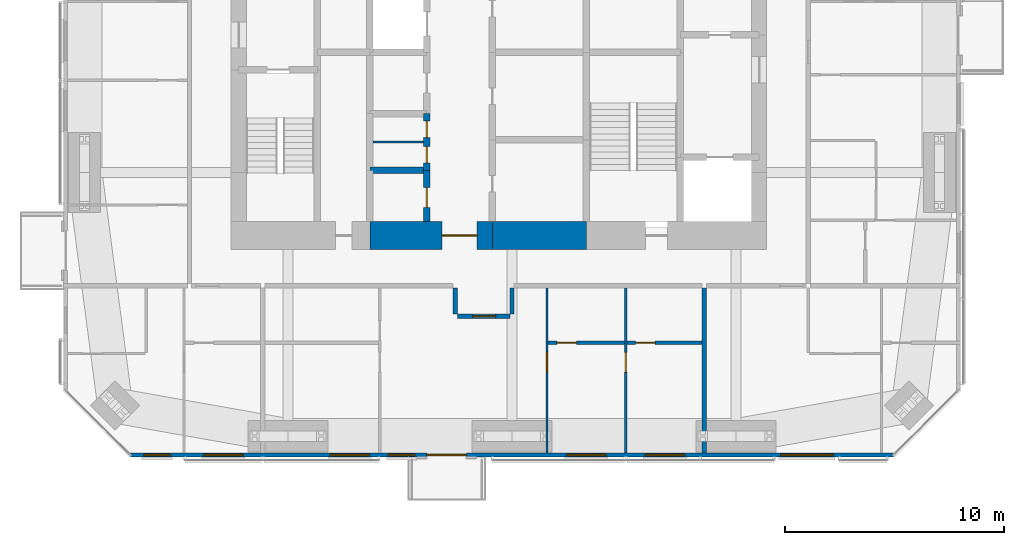
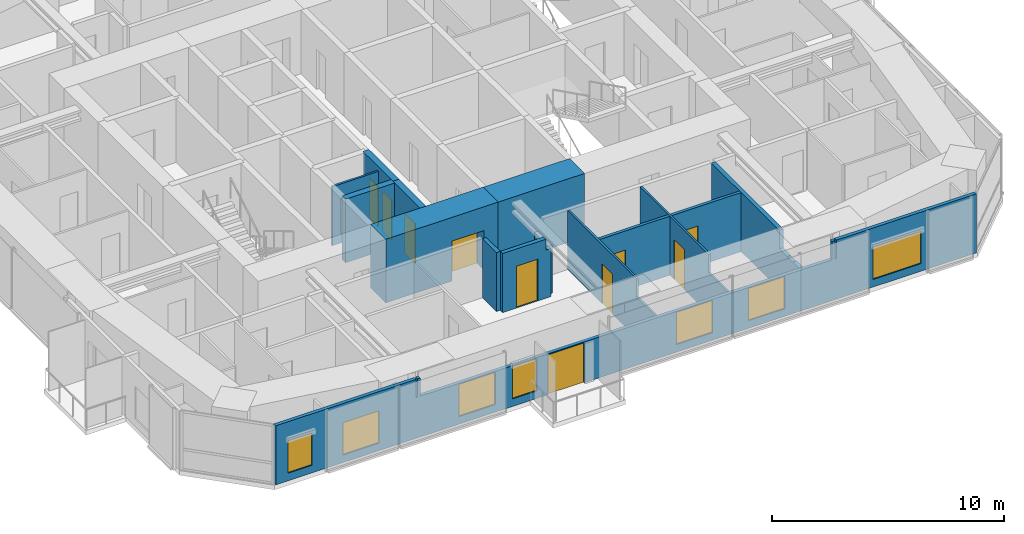
# One storey, part 16 of 23: 15 walls, 10 doors, 7 windows, 17 openings.
"""IFC4 building model written with IfcOpenShell, lengths in metres."""

from ifc_helpers import new_model, si_unit, direction, frame, frame_2d, origin, place, context, subcontext, project, spatial, polyline, rectangle, outline, extrude, material, layer, layer_set, constituent, constituent_set, type_object, element, fill, save


model = new_model("IFC4")

# Units and contexts
model_context = context("Model", 3, precision=1e-05, world=origin(), true_north=direction((0.0, 1.0)))
body_context = subcontext(model_context, "Body", "Model", "MODEL_VIEW")
ifc_project = project(units=[si_unit("LENGTHUNIT", "METRE"), si_unit("AREAUNIT", "SQUARE_METRE"), si_unit("VOLUMEUNIT", "CUBIC_METRE"), si_unit("PLANEANGLEUNIT", "RADIAN"), si_unit("MASSUNIT", "GRAM", prefix="KILO")], contexts=[model_context])

# Site, building, storey
site_placement = place(None, origin())
site = spatial("IfcSite", under=ifc_project, at=site_placement, CompositionType="ELEMENT")
building_placement = place(site_placement, origin())
building = spatial("IfcBuilding", under=site, at=building_placement, Name="Jalousie Tower", CompositionType="ELEMENT")
storey_placement = place(building_placement, frame((0.0, 0.0, 197.89990234375)))
storey = spatial("IfcBuildingStorey", under=building, at=storey_placement, Name="L54", CompositionType="ELEMENT", Elevation=197.89990234375)

# Wall, opening, door
ifc_material_1 = material(Name="Concrete block ASTM C90", Category="concrete")
ifc_constituent_1 = constituent(ifc_material_1, Name="Body")
ifc_material_2 = material(Name="Render")
ifc_constituent_2 = constituent(ifc_material_2, Name="Finish")
ifc_constituent_set_1 = constituent_set(constituents=[ifc_constituent_1, ifc_constituent_2])
wall_type_1 = type_object("IfcWallType", Name="BATHROOM WALL 150", PredefinedType="PLUMBINGWALL", material=ifc_constituent_set_1)
wall_1_placement = place(storey_placement, frame((34.14990234375, 5.22509765625, 0.0), z_axis=(0.0, 0.0, 1.0), x_axis=(1.0, 0.0, 0.0)))
wall_1 = element("IfcWall", 1, at=wall_1_placement, inside=storey, type_object=wall_type_1, Name="Bathroom Wall 150 L54", PredefinedType="PLUMBINGWALL", context=body_context, shape_type="SweptSolid", body=[
    extrude(rectangle(XDim=3.5, YDim=0.14990234375, at=frame_2d((1.75, 0.0))), origin(), (0.0, 0.0, 1.0), 3.110107421875),
])
opening_1_placement = place(wall_1_placement, frame((0.39990234375, 0.0, 0.0)))
opening_1 = element("IfcOpeningElement", 2, at=opening_1_placement, cuts=wall_1, Name="Opening D3", PredefinedType="OPENING", context=body_context, shape_type="SweptSolid", body=[
    extrude(rectangle(XDim=0.89990234375, YDim=2.10009765625, at=frame_2d((0.449951171875, 1.050048828125))), frame((0.0, 0.0849609375, 0.0), z_axis=(0.0, -1.0, 0.0), x_axis=(1.0, 0.0, 0.0)), (0.0, 0.0, 1.0), 0.169921875),
])
ifc_material_3 = material(Name="Timber door", Category="wood")
door_type_1 = type_object("IfcDoorType", Name="BATHROOM DOOR 900", OperationType="SINGLE_SWING_LEFT", PredefinedType="DOOR", material=ifc_material_3)
door_1_placement = place(opening_1_placement, origin())
door_1 = element("IfcDoor", 3, at=door_1_placement, inside=storey, type_object=door_type_1, Name="Apartment 5402 bedroom 2 bathroom door", OperationType="SINGLE_SWING_LEFT", OverallHeight=2.10009765625, OverallWidth=0.89990234375, PredefinedType="DOOR", context=body_context, shape_type="SweptSolid", body=[
    extrude(rectangle(XDim=0.89990234375, YDim=2.10009765625, at=frame_2d((0.449951171875, 1.050048828125))), frame((0.0, 0.02490234375, 0.0), z_axis=(0.0, -1.0, 0.0), x_axis=(1.0, 0.0, 0.0)), (0.0, 0.0, 1.0), 0.050048828125),
])
fill(opening_1, door_1)

wall_2_placement = place(storey_placement, frame((37.75, 5.22509765625, 0.0), z_axis=(0.0, 0.0, 1.0), x_axis=(1.0, 0.0, 0.0)))
wall_2 = element("IfcWall", 4, at=wall_2_placement, inside=storey, type_object=wall_type_1, Name="Bathroom Wall 150 L54", PredefinedType="PLUMBINGWALL", context=body_context, shape_type="SweptSolid", body=[
    extrude(rectangle(XDim=3.449951171875, YDim=0.14990234375, at=frame_2d((1.72509765625, 0.0))), origin(), (0.0, 0.0, 1.0), 3.110107421875),
])
opening_2_placement = place(wall_2_placement, frame((0.39990234375, 0.0, 0.0)))
opening_2 = element("IfcOpeningElement", 5, at=opening_2_placement, cuts=wall_2, Name="Opening D3", PredefinedType="OPENING", context=body_context, shape_type="SweptSolid", body=[
    extrude(rectangle(XDim=0.89990234375, YDim=2.10009765625, at=frame_2d((0.449951171875, 1.050048828125))), frame((0.0, 0.0849609375, 0.0), z_axis=(0.0, -1.0, 0.0), x_axis=(1.0, 0.0, 0.0)), (0.0, 0.0, 1.0), 0.169921875),
])
door_2_placement = place(opening_2_placement, origin())
door_2 = element("IfcDoor", 6, at=door_2_placement, inside=storey, type_object=door_type_1, Name="Apartment 5402 bedroom 3 bathroom door", OperationType="SINGLE_SWING_LEFT", OverallHeight=2.10009765625, OverallWidth=0.89990234375, PredefinedType="DOOR", context=body_context, shape_type="SweptSolid", body=[
    extrude(rectangle(XDim=0.89990234375, YDim=2.10009765625, at=frame_2d((0.449951171875, 1.050048828125))), frame((0.0, 0.02490234375, 0.0), z_axis=(0.0, -1.0, 0.0), x_axis=(1.0, 0.0, 0.0)), (0.0, 0.0, 1.0), 0.050048828125),
])
fill(opening_2, door_2)

ifc_material_4 = material(Name="Concrete f'c 120 MPa", Category="concrete")
ifc_layer_1 = layer(ifc_material_4, 1.300048828125)
ifc_layer_set_1 = layer_set([ifc_layer_1], Name="Concrete f'c 120 MPa")
wall_type_2 = type_object("IfcWallType", Name="CORE WALL 1300", PredefinedType="SHEAR", material=ifc_layer_set_1)
wall_3_placement = place(storey_placement, frame((26.0, 10.125, 0.0), z_axis=(0.0, 0.0, 1.0), x_axis=(1.0, 0.0, 0.0)))
wall_3 = element("IfcWall", 7, at=wall_3_placement, inside=storey, type_object=wall_type_2, Name="Core wall SB L54", PredefinedType="SHEAR", context=body_context, shape_type="SweptSolid", body=[
    extrude(rectangle(XDim=5.60009765625, YDim=1.300048828125, at=frame_2d((2.800048828125, 0.0))), origin(), (0.0, 0.0, 1.0), 3.35009765625),
])
opening_3_placement = place(wall_3_placement, frame((3.300048828125, 0.0, 0.0)))
opening_3 = element("IfcOpeningElement", 8, at=opening_3_placement, cuts=wall_3, Name="Opening D15", PredefinedType="OPENING", context=body_context, shape_type="SweptSolid", body=[
    extrude(rectangle(XDim=1.60009765625, YDim=2.10009765625, at=frame_2d((0.800048828125, 1.050048828125))), frame((0.0, 0.659912109375, 0.0), z_axis=(0.0, -1.0, 0.0), x_axis=(1.0, 0.0, 0.0)), (0.0, 0.0, 1.0), 1.320068359375),
])
ifc_material_5 = material(Name="Steel fire door", Category="steel")
door_type_2 = type_object("IfcDoorType", Name="LIFT LOBBY DOOR 1600", OperationType="DOUBLE_DOOR_SINGLE_SWING", PredefinedType="DOOR", material=ifc_material_5)
door_3_placement = place(opening_3_placement, origin())
door_3 = element("IfcDoor", 9, at=door_3_placement, inside=storey, type_object=door_type_2, Name="Lift lobby south door", OperationType="DOUBLE_DOOR_SINGLE_SWING", OverallHeight=2.10009765625, OverallWidth=1.60009765625, PredefinedType="DOOR", context=body_context, shape_type="SweptSolid", body=[
    extrude(rectangle(XDim=1.60009765625, YDim=2.10009765625, at=frame_2d((0.800048828125, 1.050048828125))), frame((0.0, 0.02490234375, 0.0), z_axis=(0.0, -1.0, 0.0), x_axis=(1.0, 0.0, 0.0)), (0.0, 0.0, 1.0), 0.050048828125),
])
fill(opening_3, door_3)

# Wall
wall_4_placement = place(storey_placement, frame((31.60009765625, 10.125, 0.0), z_axis=(0.0, 0.0, 1.0), x_axis=(1.0, 0.0, 0.0)))
element("IfcWall", 10, at=wall_4_placement, inside=storey, type_object=wall_type_2, Name="Core wall SC L54", PredefinedType="SHEAR", context=body_context, shape_type="SweptSolid", body=[
    extrude(rectangle(XDim=4.2998046875, YDim=1.300048828125, at=frame_2d((2.14990234375, 0.0))), origin(), (0.0, 0.0, 1.0), 3.35009765625),
])

# Wall, opening, door
ifc_material_6 = material(Name="Concrete f'c 120 MPa", Category="concrete")
ifc_layer_2 = layer(ifc_material_6, 0.300048828125)
ifc_layer_set_2 = layer_set([ifc_layer_2], Name="Concrete f'c 120 MPa")
wall_type_3 = type_object("IfcWallType", Name="CORE WALL 300", PredefinedType="SHEAR", material=ifc_layer_set_2)
wall_5_placement = place(storey_placement, frame((28.60009765625, 10.77490234375, 0.0), z_axis=(0.0, 0.0, 1.0), x_axis=(0.0, 1.0, 0.0)))
wall_5 = element("IfcWall", 11, at=wall_5_placement, inside=storey, type_object=wall_type_3, Name="Core wall X28.6A L54", PredefinedType="SHEAR", context=body_context, shape_type="SweptSolid", body=[
    extrude(rectangle(XDim=2.3251953125, YDim=0.300048828125, at=frame_2d((1.16259765625, 0.0))), origin(), (0.0, 0.0, 1.0), 3.35009765625),
])
opening_4_placement = place(wall_5_placement, frame((0.637451171875, 0.0, 0.0)))
opening_4 = element("IfcOpeningElement", 12, at=opening_4_placement, cuts=wall_5, Name="Opening D24", PredefinedType="OPENING", context=body_context, shape_type="SweptSolid", body=[
    extrude(rectangle(XDim=0.89990234375, YDim=2.10009765625, at=frame_2d((0.449951171875, 1.050048828125))), frame((0.0, 0.159912109375, 0.0), z_axis=(0.0, -1.0, 0.0), x_axis=(1.0, 0.0, 0.0)), (0.0, 0.0, 1.0), 0.320068359375),
])
ifc_material_7 = material(Name="Steel fire door", Category="steel")
door_type_3 = type_object("IfcDoorType", Name="CORE ROOM DOOR 900", OperationType="SINGLE_SWING_LEFT", PredefinedType="DOOR", material=ifc_material_7)
door_4_placement = place(opening_4_placement, origin())
door_4 = element("IfcDoor", 13, at=door_4_placement, inside=storey, type_object=door_type_3, Name="Linen store door", OperationType="SINGLE_SWING_RIGHT", OverallHeight=2.10009765625, OverallWidth=0.89990234375, PredefinedType="DOOR", context=body_context, shape_type="SweptSolid", body=[
    extrude(rectangle(XDim=0.89990234375, YDim=2.10009765625, at=frame_2d((0.449951171875, 1.050048828125))), frame((0.0, 0.02490234375, 0.0), z_axis=(0.0, -1.0, 0.0), x_axis=(1.0, 0.0, 0.0)), (0.0, 0.0, 1.0), 0.050048828125),
])
fill(opening_4, door_4)

# Wall, openings, doors
wall_6_placement = place(storey_placement, frame((28.60009765625, 13.10009765625, 0.0), z_axis=(0.0, 0.0, 1.0), x_axis=(0.0, 1.0, 0.0)))
wall_6 = element("IfcWall", 14, at=wall_6_placement, inside=storey, type_object=wall_type_3, Name="Core wall X28.6B L54", PredefinedType="SHEAR", context=body_context, shape_type="SweptSolid", body=[
    extrude(rectangle(XDim=2.599853515625, YDim=0.300048828125, at=frame_2d((1.2998046875, 0.0))), origin(), (0.0, 0.0, 1.0), 3.35009765625),
])
opening_5_placement = place(wall_6_placement, frame((0.35009765625, 0.0, 0.0)))
opening_5 = element("IfcOpeningElement", 15, at=opening_5_placement, cuts=wall_6, Name="Opening D27", PredefinedType="OPENING", context=body_context, shape_type="SweptSolid", body=[
    extrude(rectangle(XDim=0.75, YDim=2.10009765625, at=frame_2d((0.375, 1.050048828125))), frame((0.0, 0.159912109375, 0.0), z_axis=(0.0, -1.0, 0.0), x_axis=(1.0, 0.0, 0.0)), (0.0, 0.0, 1.0), 0.320068359375),
])
opening_6_placement = place(wall_6_placement, frame((1.5, 0.0, 0.0)))
opening_6 = element("IfcOpeningElement", 16, at=opening_6_placement, cuts=wall_6, Name="Opening D27", PredefinedType="OPENING", context=body_context, shape_type="SweptSolid", body=[
    extrude(rectangle(XDim=0.75, YDim=2.10009765625, at=frame_2d((0.375, 1.050048828125))), frame((0.0, 0.159912109375, 0.0), z_axis=(0.0, -1.0, 0.0), x_axis=(1.0, 0.0, 0.0)), (0.0, 0.0, 1.0), 0.320068359375),
])
ifc_material_8 = material(Name="Steel fire door", Category="steel")
door_type_4 = type_object("IfcDoorType", Name="CORE ROOM DOOR 750", OperationType="SINGLE_SWING_LEFT", PredefinedType="DOOR", material=ifc_material_8)
door_5_placement = place(opening_5_placement, origin())
door_5 = element("IfcDoor", 17, at=door_5_placement, inside=storey, type_object=door_type_4, Name="Housekeeping store door", OperationType="SINGLE_SWING_RIGHT", OverallHeight=2.10009765625, OverallWidth=0.75, PredefinedType="DOOR", context=body_context, shape_type="SweptSolid", body=[
    extrude(rectangle(XDim=0.75, YDim=2.10009765625, at=frame_2d((0.375, 1.050048828125))), frame((0.0, 0.02490234375, 0.0), z_axis=(0.0, -1.0, 0.0), x_axis=(1.0, 0.0, 0.0)), (0.0, 0.0, 1.0), 0.050048828125),
])
fill(opening_5, door_5)
door_6_placement = place(opening_6_placement, origin())
door_6 = element("IfcDoor", 18, at=door_6_placement, inside=storey, type_object=door_type_4, Name="Staff WC door", OperationType="SINGLE_SWING_LEFT", OverallHeight=2.10009765625, OverallWidth=0.75, PredefinedType="DOOR", context=body_context, shape_type="SweptSolid", body=[
    extrude(rectangle(XDim=0.75, YDim=2.10009765625, at=frame_2d((0.375, 1.050048828125))), frame((0.0, 0.02490234375, 0.0), z_axis=(0.0, -1.0, 0.0), x_axis=(1.0, 0.0, 0.0)), (0.0, 0.0, 1.0), 0.050048828125),
])
fill(opening_6, door_6)

# Wall
wall_7_placement = place(storey_placement, frame((26.0, 13.10009765625, 0.0), z_axis=(0.0, 0.0, 1.0), x_axis=(1.0, 0.0, 0.0)))
element("IfcWall", 19, at=wall_7_placement, inside=storey, type_object=wall_type_3, Name="Core wall Y26-13.1 L54", PredefinedType="SHEAR", context=body_context, shape_type="SweptSolid", body=[
    extrude(rectangle(XDim=2.60009765625, YDim=0.300048828125, at=frame_2d((1.300048828125, 0.0))), origin(), (0.0, 0.0, 1.0), 3.35009765625),
])

# Wall, opening, door
ifc_material_9 = material(Name="Concrete block ASTM C90", Category="concrete")
ifc_constituent_3 = constituent(ifc_material_9, Name="Body")
ifc_material_10 = material(Name="Render")
ifc_constituent_4 = constituent(ifc_material_10, Name="Finish")
ifc_constituent_set_2 = constituent_set(constituents=[ifc_constituent_3, ifc_constituent_4])
wall_type_4 = type_object("IfcWallType", Name="CORRIDOR WALL 200", PredefinedType="PARTITIONING", material=ifc_constituent_set_2)
wall_8_placement = place(storey_placement, frame((30.0, 6.425048828125, 0.0), z_axis=(0.0, 0.0, 1.0), x_axis=(1.0, 0.0, 0.0)))
wall_8 = element("IfcWall", 20, at=wall_8_placement, inside=storey, type_object=wall_type_4, Name="Corridor Wall 200 L54", PredefinedType="PARTITIONING", context=body_context, shape_type="SweptSolid", body=[
    extrude(outline(polyline([(0.0, 0.0), (2.39990234375, 0.0), (2.39990234375, 3.110107421875), (2.39990234375, 2.541015625), (2.16259765625, 2.541015625), (2.16259765625, 3.110107421875), (0.0, 3.110107421875), (0.0, 0.0)])), frame((0.0, 0.10009765625, 0.0), z_axis=(0.0, -1.0, 0.0), x_axis=(1.0, 0.0, 0.0)), (0.0, 0.0, 1.0), 0.199951171875),
])
opening_7_placement = place(wall_8_placement, frame((0.699951171875, 0.0, 0.0)))
opening_7 = element("IfcOpeningElement", 21, at=opening_7_placement, cuts=wall_8, Name="Opening D1", PredefinedType="OPENING", context=body_context, shape_type="SweptSolid", body=[
    extrude(rectangle(XDim=1.050048828125, YDim=2.199951171875, at=frame_2d((0.52490234375, 1.10009765625))), frame((0.0, 0.10986328125, 0.0), z_axis=(0.0, -1.0, 0.0), x_axis=(1.0, 0.0, 0.0)), (0.0, 0.0, 1.0), 0.219970703125),
])
ifc_material_11 = material(Name="Timber fire door", Category="wood")
door_type_5 = type_object("IfcDoorType", Name="APARTMENT ENTRANCE DOOR 1050", OperationType="SINGLE_SWING_LEFT", PredefinedType="DOOR", material=ifc_material_11)
door_7_placement = place(opening_7_placement, frame((1.050048828125, 0.0, 0.0), z_axis=(0.0, 0.0, 1.0), x_axis=(-1.0, 0.0, 0.0)))
door_7 = element("IfcDoor", 22, at=door_7_placement, inside=storey, type_object=door_type_5, Name="Apartment 5402 entrance", OperationType="SINGLE_SWING_LEFT", OverallHeight=2.199951171875, OverallWidth=1.050048828125, PredefinedType="DOOR", context=body_context, shape_type="SweptSolid", body=[
    extrude(rectangle(XDim=1.050048828125, YDim=2.199951171875, at=frame_2d((0.52490234375, 1.10009765625))), frame((0.0, 0.02490234375, 0.0), z_axis=(0.0, -1.0, 0.0), x_axis=(1.0, 0.0, 0.0)), (0.0, 0.0, 1.0), 0.050048828125),
])
fill(opening_7, door_7)

# Walls
wall_9_placement = place(storey_placement, frame((29.89990234375, 7.72509765625, 0.0), z_axis=(0.0, 0.0, 1.0), x_axis=(0.0, -1.0, 0.0)))
element("IfcWall", 23, at=wall_9_placement, inside=storey, type_object=wall_type_4, Name="Corridor Wall 200 L54", PredefinedType="PARTITIONING", context=body_context, shape_type="SweptSolid", body=[
    extrude(rectangle(XDim=1.2001953125, YDim=0.199951171875, at=frame_2d((0.60009765625, 0.0))), origin(), (0.0, 0.0, 1.0), 3.110107421875),
])
wall_10_placement = place(storey_placement, frame((32.5, 7.72509765625, 0.0), z_axis=(0.0, 0.0, 1.0), x_axis=(0.0, -1.0, 0.0)))
element("IfcWall", 24, at=wall_10_placement, inside=storey, type_object=wall_type_4, Name="Corridor Wall 200 L54", PredefinedType="PARTITIONING", context=body_context, shape_type="SweptSolid", body=[
    extrude(outline(polyline([(0.0, 0.0), (1.2001953125, 0.0), (1.199951171875, 3.110107421875), (1.199951171875, 2.541015625), (0.0, 2.541015625), (0.0, 3.110107421875), (0.0, 0.0)])), frame((0.0, 0.10009765625, 0.0), z_axis=(0.0, -1.0, 0.0), x_axis=(1.0, 0.0, 0.0)), (0.0, 0.0, 1.0), 0.199951171875),
])

# Wall, openings, door, windows
ifc_material_12 = material(Name="Concrete f'c 40 MPa", Category="concrete")
ifc_constituent_5 = constituent(ifc_material_12, Name="Body")
ifc_material_13 = material(Name="Render, pastel lemon")
ifc_constituent_6 = constituent(ifc_material_13, Name="Finish")
ifc_constituent_set_3 = constituent_set(constituents=[ifc_constituent_5, ifc_constituent_6])
wall_type_5 = type_object("IfcWallType", Name="EXTERNAL WALL 175 LEMON RENDER", PredefinedType="SOLIDWALL", material=ifc_constituent_set_3)
wall_11_placement = place(storey_placement, frame((15.05126953125, 0.08740234375, 0.0), z_axis=(0.0, 0.0, 1.0), x_axis=(1.0, 0.0, 0.0)))
wall_11 = element("IfcWall", 25, at=wall_11_placement, inside=storey, type_object=wall_type_5, Name="External Wall 175 Lemon Render L54", PredefinedType="SOLIDWALL", context=body_context, shape_type="SweptSolid", body=[
    extrude(outline(polyline([(0.0, 0.0), (34.8974609375, 0.0), (34.8974609375, 3.110107421875), (27.91015625, 3.110107421875), (27.91015625, 2.150146484375), (27.8359375, 2.150146484375), (27.8359375, 3.110107421875), (27.69873046875, 3.110107421875), (27.69873046875, 2.150146484375), (7.19873046875, 2.150146484375), (7.19873046875, 3.110107421875), (7.0615234375, 3.110107421875), (7.0615234375, 2.150146484375), (6.9873046875, 2.150146484375), (6.9873046875, 3.110107421875), (0.0, 3.110107421875), (0.0, 0.0)])), frame((0.0, 0.08740234375, 0.0), z_axis=(0.0, -1.0, 0.0), x_axis=(1.0, 0.0, 0.0)), (0.0, 0.0, 1.0), 0.175048828125),
])
opening_8_placement = place(wall_11_placement, frame((0.612548828125, 0.0, 0.39990234375)))
opening_8 = element("IfcOpeningElement", 26, at=opening_8_placement, cuts=wall_11, Name="Opening W-COR170", PredefinedType="OPENING", context=body_context, shape_type="SweptSolid", body=[
    extrude(rectangle(XDim=1.199951171875, YDim=1.699951171875, at=frame_2d((0.60009765625, 0.85009765625))), frame((0.0, 0.097412109375, 0.0), z_axis=(0.0, -1.0, 0.0), x_axis=(1.0, 0.0, 0.0)), (0.0, 0.0, 1.0), 0.195068359375),
])
opening_9_placement = place(wall_11_placement, frame((3.3486328125, 0.0, 0.39990234375)))
opening_9 = element("IfcOpeningElement", 27, at=opening_9_placement, cuts=wall_11, Name="Opening W-BED170", PredefinedType="OPENING", context=body_context, shape_type="SweptSolid", body=[
    extrude(rectangle(XDim=1.800048828125, YDim=1.699951171875, at=frame_2d((0.89990234375, 0.85009765625))), frame((0.0, 0.097412109375, 0.0), z_axis=(0.0, -1.0, 0.0), x_axis=(1.0, 0.0, 0.0)), (0.0, 0.0, 1.0), 0.195068359375),
])
opening_10_placement = place(wall_11_placement, frame((9.1298828125, 0.0, 0.39990234375)))
opening_10 = element("IfcOpeningElement", 28, at=opening_10_placement, cuts=wall_11, Name="Opening W-BED170", PredefinedType="OPENING", context=body_context, shape_type="SweptSolid", body=[
    extrude(rectangle(XDim=1.800048828125, YDim=1.699951171875, at=frame_2d((0.89990234375, 0.85009765625))), frame((0.0, 0.097412109375, 0.0), z_axis=(0.0, -1.0, 0.0), x_axis=(1.0, 0.0, 0.0)), (0.0, 0.0, 1.0), 0.195068359375),
])
opening_11_placement = place(wall_11_placement, frame((13.561279296875, 0.0, 0.0)))
opening_11 = element("IfcOpeningElement", 29, at=opening_11_placement, cuts=wall_11, Name="Opening D-BAL21", PredefinedType="OPENING", context=body_context, shape_type="SweptSolid", body=[
    extrude(rectangle(XDim=1.800048828125, YDim=2.10009765625, at=frame_2d((0.89990234375, 1.050048828125))), frame((0.0, 0.097412109375, 0.0), z_axis=(0.0, -1.0, 0.0), x_axis=(1.0, 0.0, 0.0)), (0.0, 0.0, 1.0), 0.195068359375),
])
opening_12_placement = place(wall_11_placement, frame((11.798583984375, 0.0, 0.39990234375)))
opening_12 = element("IfcOpeningElement", 30, at=opening_12_placement, cuts=wall_11, Name="Opening W-COR170", PredefinedType="OPENING", context=body_context, shape_type="SweptSolid", body=[
    extrude(rectangle(XDim=1.199951171875, YDim=1.699951171875, at=frame_2d((0.60009765625, 0.85009765625))), frame((0.0, 0.097412109375, 0.0), z_axis=(0.0, -1.0, 0.0), x_axis=(1.0, 0.0, 0.0)), (0.0, 0.0, 1.0), 0.195068359375),
])
opening_13_placement = place(wall_11_placement, frame((19.94873046875, 0.0, 0.39990234375)))
opening_13 = element("IfcOpeningElement", 31, at=opening_13_placement, cuts=wall_11, Name="Opening W-BED170", PredefinedType="OPENING", context=body_context, shape_type="SweptSolid", body=[
    extrude(rectangle(XDim=1.800048828125, YDim=1.699951171875, at=frame_2d((0.89990234375, 0.85009765625))), frame((0.0, 0.097412109375, 0.0), z_axis=(0.0, -1.0, 0.0), x_axis=(1.0, 0.0, 0.0)), (0.0, 0.0, 1.0), 0.195068359375),
])
opening_14_placement = place(wall_11_placement, frame((23.548583984375, 0.0, 0.39990234375)))
opening_14 = element("IfcOpeningElement", 32, at=opening_14_placement, cuts=wall_11, Name="Opening W-BED170", PredefinedType="OPENING", context=body_context, shape_type="SweptSolid", body=[
    extrude(rectangle(XDim=1.800048828125, YDim=1.699951171875, at=frame_2d((0.89990234375, 0.85009765625))), frame((0.0, 0.097412109375, 0.0), z_axis=(0.0, -1.0, 0.0), x_axis=(1.0, 0.0, 0.0)), (0.0, 0.0, 1.0), 0.195068359375),
])
opening_15_placement = place(wall_11_placement, frame((29.72998046875, 0.0, 0.39990234375)))
opening_15 = element("IfcOpeningElement", 33, at=opening_15_placement, cuts=wall_11, Name="Opening W-LIV170", PredefinedType="OPENING", context=body_context, shape_type="SweptSolid", body=[
    extrude(rectangle(XDim=2.39990234375, YDim=1.699951171875, at=frame_2d((1.199951171875, 0.85009765625))), frame((0.0, 0.097412109375, 0.0), z_axis=(0.0, -1.0, 0.0), x_axis=(1.0, 0.0, 0.0)), (0.0, 0.0, 1.0), 0.195068359375),
])
ifc_material_14 = material(Name="Aluminium frame, impact-rated glazing", Category="aluminium")
door_type_6 = type_object("IfcDoorType", Name="BALCONY DOOR 1800x2100", OperationType="SLIDING_TO_LEFT", PredefinedType="DOOR", material=ifc_material_14)
door_8_placement = place(opening_11_placement, origin())
door_8 = element("IfcDoor", 34, at=door_8_placement, inside=storey, type_object=door_type_6, Name="Apartment 5402 living, dining and kitchen balcony door", OperationType="SLIDING_TO_LEFT", OverallHeight=2.10009765625, OverallWidth=1.800048828125, PredefinedType="DOOR", context=body_context, shape_type="SweptSolid", body=[
    extrude(rectangle(XDim=1.800048828125, YDim=2.10009765625, at=frame_2d((0.89990234375, 1.050048828125))), frame((0.0, 0.02490234375, 0.0), z_axis=(0.0, -1.0, 0.0), x_axis=(1.0, 0.0, 0.0)), (0.0, 0.0, 1.0), 0.050048828125),
])
fill(opening_11, door_8)
ifc_material_15 = material(Name="Aluminium frame, impact-rated glazing", Category="aluminium")
window_type_1 = type_object("IfcWindowType", Name="WINDOW BED 1800x1700", PartitioningType="SINGLE_PANEL", PredefinedType="WINDOW", material=ifc_material_15)
window_1_placement = place(opening_9_placement, origin())
window_1 = element("IfcWindow", 35, at=window_1_placement, inside=storey, type_object=window_type_1, Name="Apartment 5401 bedroom 1 window", OverallHeight=1.699951171875, OverallWidth=1.800048828125, PartitioningType="SINGLE_PANEL", PredefinedType="WINDOW", context=body_context, shape_type="SweptSolid", body=[
    extrude(rectangle(XDim=1.800048828125, YDim=1.699951171875, at=frame_2d((0.89990234375, 0.85009765625))), frame((0.0, 0.030029296875, 0.0), z_axis=(0.0, -1.0, 0.0), x_axis=(1.0, 0.0, 0.0)), (0.0, 0.0, 1.0), 0.06005859375),
])
fill(opening_9, window_1)
window_2_placement = place(opening_10_placement, origin())
window_2 = element("IfcWindow", 36, at=window_2_placement, inside=storey, type_object=window_type_1, Name="Apartment 5402 bedroom 1 window", OverallHeight=1.699951171875, OverallWidth=1.800048828125, PartitioningType="SINGLE_PANEL", PredefinedType="WINDOW", context=body_context, shape_type="SweptSolid", body=[
    extrude(rectangle(XDim=1.800048828125, YDim=1.699951171875, at=frame_2d((0.89990234375, 0.85009765625))), frame((0.0, 0.030029296875, 0.0), z_axis=(0.0, -1.0, 0.0), x_axis=(1.0, 0.0, 0.0)), (0.0, 0.0, 1.0), 0.06005859375),
])
fill(opening_10, window_2)
window_3_placement = place(opening_13_placement, origin())
window_3 = element("IfcWindow", 37, at=window_3_placement, inside=storey, type_object=window_type_1, Name="Apartment 5402 bedroom 2 window", OverallHeight=1.699951171875, OverallWidth=1.800048828125, PartitioningType="SINGLE_PANEL", PredefinedType="WINDOW", context=body_context, shape_type="SweptSolid", body=[
    extrude(rectangle(XDim=1.800048828125, YDim=1.699951171875, at=frame_2d((0.89990234375, 0.85009765625))), frame((0.0, 0.030029296875, 0.0), z_axis=(0.0, -1.0, 0.0), x_axis=(1.0, 0.0, 0.0)), (0.0, 0.0, 1.0), 0.06005859375),
])
fill(opening_13, window_3)
window_4_placement = place(opening_14_placement, origin())
window_4 = element("IfcWindow", 38, at=window_4_placement, inside=storey, type_object=window_type_1, Name="Apartment 5402 bedroom 3 window", OverallHeight=1.699951171875, OverallWidth=1.800048828125, PartitioningType="SINGLE_PANEL", PredefinedType="WINDOW", context=body_context, shape_type="SweptSolid", body=[
    extrude(rectangle(XDim=1.800048828125, YDim=1.699951171875, at=frame_2d((0.89990234375, 0.85009765625))), frame((0.0, 0.030029296875, 0.0), z_axis=(0.0, -1.0, 0.0), x_axis=(1.0, 0.0, 0.0)), (0.0, 0.0, 1.0), 0.06005859375),
])
fill(opening_14, window_4)
ifc_material_16 = material(Name="Aluminium frame, impact-rated glazing", Category="aluminium")
window_type_2 = type_object("IfcWindowType", Name="WINDOW COR 1200x1700", PartitioningType="SINGLE_PANEL", PredefinedType="WINDOW", material=ifc_material_16)
window_5_placement = place(opening_8_placement, origin())
window_5 = element("IfcWindow", 39, at=window_5_placement, inside=storey, type_object=window_type_2, Name="Apartment 5401 living and dining room window", OverallHeight=1.699951171875, OverallWidth=1.199951171875, PartitioningType="SINGLE_PANEL", PredefinedType="WINDOW", context=body_context, shape_type="SweptSolid", body=[
    extrude(rectangle(XDim=1.199951171875, YDim=1.699951171875, at=frame_2d((0.60009765625, 0.85009765625))), frame((0.0, 0.030029296875, 0.0), z_axis=(0.0, -1.0, 0.0), x_axis=(1.0, 0.0, 0.0)), (0.0, 0.0, 1.0), 0.06005859375),
])
fill(opening_8, window_5)
window_6_placement = place(opening_12_placement, origin())
window_6 = element("IfcWindow", 40, at=window_6_placement, inside=storey, type_object=window_type_2, Name="Apartment 5402 living, dining and kitchen window", OverallHeight=1.699951171875, OverallWidth=1.199951171875, PartitioningType="SINGLE_PANEL", PredefinedType="WINDOW", context=body_context, shape_type="SweptSolid", body=[
    extrude(rectangle(XDim=1.199951171875, YDim=1.699951171875, at=frame_2d((0.60009765625, 0.85009765625))), frame((0.0, 0.030029296875, 0.0), z_axis=(0.0, -1.0, 0.0), x_axis=(1.0, 0.0, 0.0)), (0.0, 0.0, 1.0), 0.06005859375),
])
fill(opening_12, window_6)
ifc_material_17 = material(Name="Aluminium frame, impact-rated glazing", Category="aluminium")
window_type_3 = type_object("IfcWindowType", Name="WINDOW LIV 2400x1700", PartitioningType="DOUBLE_PANEL_VERTICAL", PredefinedType="WINDOW", material=ifc_material_17)
window_7_placement = place(opening_15_placement, origin())
window_7 = element("IfcWindow", 41, at=window_7_placement, inside=storey, type_object=window_type_3, Name="Apartment 5403 living and dining room window", OverallHeight=1.699951171875, OverallWidth=2.39990234375, PartitioningType="SINGLE_PANEL", PredefinedType="WINDOW", context=body_context, shape_type="SweptSolid", body=[
    extrude(rectangle(XDim=2.39990234375, YDim=1.699951171875, at=frame_2d((1.199951171875, 0.85009765625))), frame((0.0, 0.030029296875, 0.0), z_axis=(0.0, -1.0, 0.0), x_axis=(1.0, 0.0, 0.0)), (0.0, 0.0, 1.0), 0.06005859375),
])
fill(opening_15, window_7)

# Wall, opening, door
ifc_material_18 = material(Name="Gypsum board", Category="gypsum")
ifc_constituent_7 = constituent(ifc_material_18, Name="Body")
ifc_material_19 = material(Name="Light-gauge steel studs ASTM A653 SS Grade 33", Category="steel")
ifc_constituent_8 = constituent(ifc_material_19, Name="Framing")
ifc_constituent_set_4 = constituent_set(constituents=[ifc_constituent_7, ifc_constituent_8])
wall_type_6 = type_object("IfcWallType", Name="PARTITION 100", PredefinedType="PARTITIONING", material=ifc_constituent_set_4)
wall_12_placement = place(storey_placement, frame((34.10009765625, 0.175048828125, 0.0), z_axis=(0.0, 0.0, 1.0), x_axis=(0.0, 1.0, 0.0)))
wall_12 = element("IfcWall", 42, at=wall_12_placement, inside=storey, type_object=wall_type_6, Name="Partition 100 L54", PredefinedType="PARTITIONING", context=body_context, shape_type="SweptSolid", body=[
    extrude(outline(polyline([(0.0, 0.0), (7.550048828125, 0.0), (7.550048828125, 3.110107421875), (1.635009765625, 3.110107421875), (1.635009765625, 2.150146484375), (0.0, 2.150146484375), (0.0, 3.110107421875), (0.0, 0.0)])), frame((0.0, 0.050048828125, 0.0), z_axis=(0.0, -1.0, 0.0), x_axis=(1.0, 0.0, 0.0)), (0.0, 0.0, 1.0), 0.10009765625),
])
opening_16_placement = place(wall_12_placement, frame((3.699951171875, 0.0, 0.0)))
opening_16 = element("IfcOpeningElement", 43, at=opening_16_placement, cuts=wall_12, Name="Opening D2", PredefinedType="OPENING", context=body_context, shape_type="SweptSolid", body=[
    extrude(rectangle(XDim=0.89990234375, YDim=2.10009765625, at=frame_2d((0.449951171875, 1.050048828125))), frame((0.0, 0.06005859375, 0.0), z_axis=(0.0, -1.0, 0.0), x_axis=(1.0, 0.0, 0.0)), (0.0, 0.0, 1.0), 0.1201171875),
])
ifc_material_20 = material(Name="Timber door", Category="wood")
door_type_7 = type_object("IfcDoorType", Name="BEDROOM DOOR 900", OperationType="SINGLE_SWING_LEFT", PredefinedType="DOOR", material=ifc_material_20)
door_9_placement = place(opening_16_placement, frame((0.89990234375, 0.0, 0.0), z_axis=(0.0, 0.0, 1.0), x_axis=(-1.0, 0.0, 0.0)))
door_9 = element("IfcDoor", 44, at=door_9_placement, inside=storey, type_object=door_type_7, Name="Apartment 5402 bedroom 2 door", OperationType="SINGLE_SWING_LEFT", OverallHeight=2.10009765625, OverallWidth=0.89990234375, PredefinedType="DOOR", context=body_context, shape_type="SweptSolid", body=[
    extrude(rectangle(XDim=0.89990234375, YDim=2.10009765625, at=frame_2d((0.449951171875, 1.050048828125))), frame((0.0, 0.02490234375, 0.0), z_axis=(0.0, -1.0, 0.0), x_axis=(1.0, 0.0, 0.0)), (0.0, 0.0, 1.0), 0.050048828125),
])
fill(opening_16, door_9)

wall_13_placement = place(storey_placement, frame((37.699951171875, 0.175048828125, 0.0), z_axis=(0.0, 0.0, 1.0), x_axis=(0.0, 1.0, 0.0)))
wall_13 = element("IfcWall", 45, at=wall_13_placement, inside=storey, type_object=wall_type_6, Name="Partition 100 L54", PredefinedType="PARTITIONING", context=body_context, shape_type="SweptSolid", body=[
    extrude(outline(polyline([(0.0, 0.0), (7.550048828125, 0.0), (7.550048828125, 3.110107421875), (1.635009765625, 3.110107421875), (1.635009765625, 2.150146484375), (0.0, 2.150146484375), (0.0, 3.110107421875), (0.0, 0.0)])), frame((0.0, 0.050048828125, 0.0), z_axis=(0.0, -1.0, 0.0), x_axis=(1.0, 0.0, 0.0)), (0.0, 0.0, 1.0), 0.10009765625),
])
opening_17_placement = place(wall_13_placement, frame((3.699951171875, 0.0, 0.0)))
opening_17 = element("IfcOpeningElement", 46, at=opening_17_placement, cuts=wall_13, Name="Opening D2", PredefinedType="OPENING", context=body_context, shape_type="SweptSolid", body=[
    extrude(rectangle(XDim=0.89990234375, YDim=2.10009765625, at=frame_2d((0.449951171875, 1.050048828125))), frame((0.0, 0.06005859375, 0.0), z_axis=(0.0, -1.0, 0.0), x_axis=(1.0, 0.0, 0.0)), (0.0, 0.0, 1.0), 0.1201171875),
])
door_10_placement = place(opening_17_placement, origin())
door_10 = element("IfcDoor", 47, at=door_10_placement, inside=storey, type_object=door_type_7, Name="Apartment 5402 bedroom 3 door", OperationType="SINGLE_SWING_RIGHT", OverallHeight=2.10009765625, OverallWidth=0.89990234375, PredefinedType="DOOR", context=body_context, shape_type="SweptSolid", body=[
    extrude(rectangle(XDim=0.89990234375, YDim=2.10009765625, at=frame_2d((0.449951171875, 1.050048828125))), frame((0.0, 0.02490234375, 0.0), z_axis=(0.0, -1.0, 0.0), x_axis=(1.0, 0.0, 0.0)), (0.0, 0.0, 1.0), 0.050048828125),
])
fill(opening_17, door_10)

# Walls
wall_14_placement = place(storey_placement, frame((26.14990234375, 14.39990234375, 0.0), z_axis=(0.0, 0.0, 1.0), x_axis=(1.0, 0.0, 0.0)))
element("IfcWall", 48, at=wall_14_placement, inside=storey, type_object=wall_type_6, Name="Partition 100 L54", PredefinedType="PARTITIONING", context=body_context, shape_type="SweptSolid", body=[
    extrude(rectangle(XDim=2.300048828125, YDim=0.10009765625, at=frame_2d((1.14990234375, 0.0))), origin(), (0.0, 0.0, 1.0), 3.110107421875),
])
ifc_material_21 = material(Name="Concrete block ASTM C90", Category="concrete")
ifc_constituent_9 = constituent(ifc_material_21, Name="Body")
ifc_material_22 = material(Name="Render")
ifc_constituent_10 = constituent(ifc_material_22, Name="Finish")
ifc_constituent_set_5 = constituent_set(constituents=[ifc_constituent_9, ifc_constituent_10])
wall_type_7 = type_object("IfcWallType", Name="PARTY WALL 200", PredefinedType="PARTITIONING", material=ifc_constituent_set_5)
wall_15_placement = place(storey_placement, frame((41.300048828125, 0.175048828125, 0.0), z_axis=(0.0, 0.0, 1.0), x_axis=(0.0, 1.0, 0.0)))
element("IfcWall", 49, at=wall_15_placement, inside=storey, type_object=wall_type_7, Name="Party Wall 200 L54", PredefinedType="PARTITIONING", context=body_context, shape_type="SweptSolid", body=[
    extrude(outline(polyline([(0.52880859375, 2.150146484375), (0.0, 2.150146484375), (0.0, 0.0), (0.52880859375, 0.0), (0.52880859375, 0.032470703125), (1.021240234375, 0.032470703125), (1.021240234375, 0.0), (7.550048828125, 0.0), (7.550048828125, 3.110107421875), (1.68505859375, 3.110107421875), (1.68505859375, 2.150146484375), (1.021240234375, 2.150146484375), (1.021240234375, 2.11767578125), (0.52880859375, 2.11767578125), (0.52880859375, 2.150146484375)])), frame((0.0, 0.10009765625, 0.0), z_axis=(0.0, -1.0, 0.0), x_axis=(1.0, 0.0, 0.0)), (0.0, 0.0, 1.0), 0.199951171875),
])

save(model, "model.ifc")
